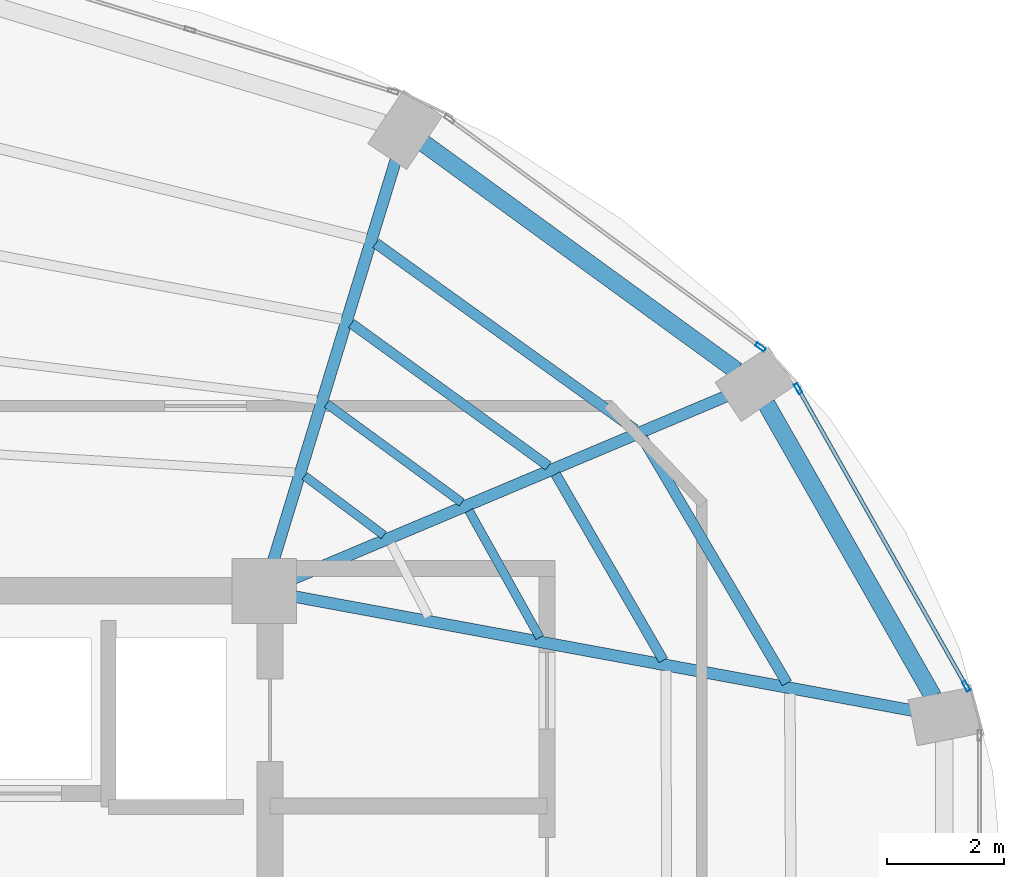
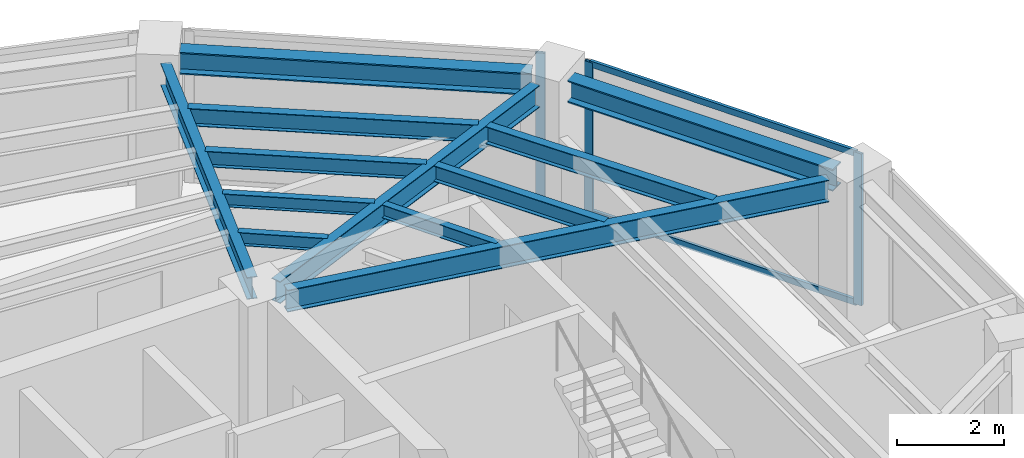
# One storey, part 15 of 22: 12 beams, 5 members, 2 elements without a shape of their own.
"""IFC4 building model written with IfcOpenShell, lengths in metres."""

from ifc_helpers import new_model, si_unit, direction, frame, origin, origin_2d, place, context, subcontext, project, spatial, hollow_rectangle, i_section, extrude, material, layer, layer_set, material_profile, profile_set, type_object, element, aggregate, save


model = new_model("IFC4")

# Units and contexts
model_context = context("Model", 3, precision=1e-05, world=origin(), true_north=direction((0.0, 1.0)))
body_context = subcontext(model_context, "Body", "Model", "MODEL_VIEW")
ifc_project = project(units=[si_unit("LENGTHUNIT", "METRE"), si_unit("AREAUNIT", "SQUARE_METRE"), si_unit("VOLUMEUNIT", "CUBIC_METRE"), si_unit("PLANEANGLEUNIT", "RADIAN"), si_unit("MASSUNIT", "GRAM", prefix="KILO")], contexts=[model_context])

# Site, building, storey
site_placement = place(None, origin())
site = spatial("IfcSite", under=ifc_project, at=site_placement, CompositionType="ELEMENT")
building_placement = place(site_placement, origin())
building = spatial("IfcBuilding", under=site, at=building_placement, Name="Lazwardi Medical Tower", CompositionType="ELEMENT")
storey_placement = place(building_placement, frame((0.0, 0.0, 251.3759765625)))
storey = spatial("IfcBuildingStorey", under=building, at=storey_placement, Name="L65", CompositionType="ELEMENT", Elevation=251.3759765625)

# Beams
ifc_material_1 = material(Name="Steel S355", Category="steel")
ifc_material_profile_1 = material_profile(ifc_material_1, i_section(OverallWidth=0.300048828125, OverallDepth=0.5, WebThickness=0.014404296875, FlangeThickness=0.028076171875, at=origin_2d()), Name="HEB 500")
ifc_profile_set_1 = profile_set([ifc_material_profile_1], Name="Steel S355")
beam_type_1 = type_object("IfcBeamType", Name="BM-RB-Z4", PredefinedType="BEAM", material=ifc_profile_set_1)
beam_1_placement = place(storey_placement, frame((56.991943359375, 33.8017578125, 3.197998046875), z_axis=(-0.495125273299, 0.868821594886, 0.0), x_axis=(-0.868821594886, -0.495125273299, 0.0)))
element("IfcBeam", 1, at=beam_1_placement, inside=storey, type_object=beam_type_1, Name="Ring beam RB-05 B05 L65", PredefinedType="BEAM", context=body_context, shape_type="SweptSolid", body=[
    extrude(i_section(OverallWidth=0.300048828125, OverallDepth=0.5, WebThickness=0.014404296875, FlangeThickness=0.028076171875, at=origin_2d()), origin(), (0.0, 0.0, 1.0), 5.734130859375),
])
beam_2_placement = place(storey_placement, frame((53.644287109375, 39.351806640625, 3.197998046875), z_axis=(-0.808889916254, 0.587960120571, 0.0), x_axis=(-0.587960120571, -0.808889916254, 0.0)))
element("IfcBeam", 2, at=beam_2_placement, inside=storey, type_object=beam_type_1, Name="Ring beam RB-05 B06 L65", PredefinedType="BEAM", context=body_context, shape_type="SweptSolid", body=[
    extrude(i_section(OverallWidth=0.300048828125, OverallDepth=0.5, WebThickness=0.014404296875, FlangeThickness=0.028076171875, at=origin_2d()), origin(), (0.0, 0.0, 1.0), 6.587158203125),
])
ifc_material_profile_2 = material_profile(ifc_material_1, i_section(OverallWidth=0.199951171875, OverallDepth=0.5, WebThickness=0.01025390625, FlangeThickness=0.01611328125, at=origin_2d()), Name="IPE 500")
ifc_profile_set_2 = profile_set([ifc_material_profile_2], Name="Steel S355")
beam_type_2 = type_object("IfcBeamType", Name="BM-RG-W3", PredefinedType="BEAM", material=ifc_profile_set_2)
beam_3_placement = place(storey_placement, frame((56.658935546875, 33.56005859375, 3.197998046875), z_axis=(-0.983409341459, 0.181400295288, 0.0), x_axis=(-0.181400295288, -0.983409341459, 0.0)))
element("IfcBeam", 3, at=beam_3_placement, inside=storey, type_object=beam_type_2, Name="Radial girder RG-04 R05 L65", PredefinedType="BEAM", context=body_context, shape_type="SweptSolid", body=[
    extrude(i_section(OverallWidth=0.199951171875, OverallDepth=0.5, WebThickness=0.01025390625, FlangeThickness=0.01611328125, at=origin_2d()), origin(), (0.0, 0.0, 1.0), 10.71044921875),
])
beam_4_placement = place(storey_placement, frame((53.466796875, 38.914794921875, 3.197998046875), z_axis=(-0.921526791352, -0.388314785735, 0.0), x_axis=(0.388314785735, -0.921526791352, 0.0)))
element("IfcBeam", 4, at=beam_4_placement, inside=storey, type_object=beam_type_2, Name="Radial girder RG-04 R06 L65", PredefinedType="BEAM", context=body_context, shape_type="SweptSolid", body=[
    extrude(i_section(OverallWidth=0.199951171875, OverallDepth=0.5, WebThickness=0.01025390625, FlangeThickness=0.01611328125, at=origin_2d()), origin(), (0.0, 0.0, 1.0), 8.001708984375),
])
beam_5_placement = place(storey_placement, frame((47.843994140625, 42.9423828125, 3.197998046875), z_axis=(-0.292276716539, -0.956333791607, 0.0), x_axis=(0.956333791607, -0.292276716539, 0.0)))
element("IfcBeam", 5, at=beam_5_placement, inside=storey, type_object=beam_type_2, Name="Radial girder RG-04 R07 L65", PredefinedType="BEAM", context=body_context, shape_type="SweptSolid", body=[
    extrude(i_section(OverallWidth=0.199951171875, OverallDepth=0.5, WebThickness=0.01025390625, FlangeThickness=0.01611328125, at=origin_2d()), origin(), (0.0, 0.0, 1.0), 7.142822265625),
])
ifc_material_profile_3 = material_profile(ifc_material_1, i_section(OverallWidth=0.179931640625, OverallDepth=0.39990234375, WebThickness=0.008544921875, FlangeThickness=0.013427734375, at=origin_2d()), Name="IPE 400")
ifc_profile_set_3 = profile_set([ifc_material_profile_3], Name="Steel S355")
beam_type_3 = type_object("IfcBeamType", Name="BM-SJ-01", PredefinedType="JOIST", material=ifc_profile_set_3)
beam_6_placement = place(storey_placement, frame((54.504150390625, 34.030517578125, 3.248046875), z_axis=(-0.507710311367, 0.861527851977, 0.0), x_axis=(-0.861527851977, -0.507710311367, 0.0)))
element("IfcBeam", 6, at=beam_6_placement, inside=storey, type_object=beam_type_3, Name="Secondary joist SJ-01 R1 B05 L65", PredefinedType="JOIST", context=body_context, shape_type="SweptSolid", body=[
    extrude(i_section(OverallWidth=0.179931640625, OverallDepth=0.39990234375, WebThickness=0.008544921875, FlangeThickness=0.013427734375, at=origin_2d()), origin(), (0.0, 0.0, 1.0), 4.852783203125),
])
beam_7_placement = place(storey_placement, frame((51.914794921875, 38.348876953125, 3.248046875), z_axis=(-0.811889581337, 0.58381102055, 0.0), x_axis=(-0.58381102055, -0.811889581337, 0.0)))
element("IfcBeam", 7, at=beam_7_placement, inside=storey, type_object=beam_type_3, Name="Secondary joist SJ-01 R1 B06 L65", PredefinedType="JOIST", context=body_context, shape_type="SweptSolid", body=[
    extrude(i_section(OverallWidth=0.179931640625, OverallDepth=0.39990234375, WebThickness=0.008544921875, FlangeThickness=0.013427734375, at=origin_2d()), origin(), (0.0, 0.0, 1.0), 5.433349609375),
])
ifc_material_profile_4 = material_profile(ifc_material_1, i_section(OverallWidth=0.169921875, OverallDepth=0.360107421875, WebThickness=0.008056640625, FlangeThickness=0.0126953125, at=origin_2d()), Name="IPE 360")
ifc_profile_set_4 = profile_set([ifc_material_profile_4], Name="Steel S355")
beam_type_4 = type_object("IfcBeamType", Name="BM-SJ-02", PredefinedType="JOIST", material=ifc_profile_set_4)
beam_8_placement = place(storey_placement, frame((52.398193359375, 34.41943359375, 3.26806640625), z_axis=(-0.500655179543, 0.865646805109, 0.0), x_axis=(-0.865646805109, -0.500655179543, 0.0)))
element("IfcBeam", 8, at=beam_8_placement, inside=storey, type_object=beam_type_4, Name="Secondary joist SJ-02 R2 B05 L65", PredefinedType="JOIST", context=body_context, shape_type="SweptSolid", body=[
    extrude(i_section(OverallWidth=0.169921875, OverallDepth=0.360107421875, WebThickness=0.008056640625, FlangeThickness=0.0126953125, at=origin_2d()), origin(), (0.0, 0.0, 1.0), 3.662109375),
])
beam_9_placement = place(storey_placement, frame((50.440185546875, 37.7275390625, 3.26806640625), z_axis=(-0.810164229155, 0.586202969796, 0.0), x_axis=(-0.586202969796, -0.810164229155, 0.0)))
element("IfcBeam", 9, at=beam_9_placement, inside=storey, type_object=beam_type_4, Name="Secondary joist SJ-02 R2 B06 L65", PredefinedType="JOIST", context=body_context, shape_type="SweptSolid", body=[
    extrude(i_section(OverallWidth=0.169921875, OverallDepth=0.360107421875, WebThickness=0.008056640625, FlangeThickness=0.0126953125, at=origin_2d()), origin(), (0.0, 0.0, 1.0), 4.14013671875),
])
ifc_material_profile_5 = material_profile(ifc_material_1, i_section(OverallWidth=0.14990234375, OverallDepth=0.300048828125, WebThickness=0.007080078125, FlangeThickness=0.0107421875, at=origin_2d()), Name="IPE 300")
ifc_profile_set_5 = profile_set([ifc_material_profile_5], Name="Steel S355")
beam_type_5 = type_object("IfcBeamType", Name="BM-SJ-03", PredefinedType="JOIST", material=ifc_profile_set_5)
beam_10_placement = place(storey_placement, frame((50.29296875, 34.80859375, 3.298095703125), z_axis=(-0.487092942089, 0.873350139272, 0.0), x_axis=(-0.873350139272, -0.487092942089, 0.0)))
element("IfcBeam", 10, at=beam_10_placement, inside=storey, type_object=beam_type_5, Name="Secondary joist SJ-03 R3 B05 L65", PredefinedType="JOIST", context=body_context, shape_type="SweptSolid", body=[
    extrude(i_section(OverallWidth=0.14990234375, OverallDepth=0.300048828125, WebThickness=0.007080078125, FlangeThickness=0.0107421875, at=origin_2d()), origin(), (0.0, 0.0, 1.0), 2.471923828125),
])
beam_11_placement = place(storey_placement, frame((48.9658203125, 37.106689453125, 3.298095703125), z_axis=(-0.80703431267, 0.59050454543, 0.0), x_axis=(-0.59050454543, -0.80703431267, 0.0)))
element("IfcBeam", 11, at=beam_11_placement, inside=storey, type_object=beam_type_5, Name="Secondary joist SJ-03 R3 B06 L65", PredefinedType="JOIST", context=body_context, shape_type="SweptSolid", body=[
    extrude(i_section(OverallWidth=0.14990234375, OverallDepth=0.300048828125, WebThickness=0.007080078125, FlangeThickness=0.0107421875, at=origin_2d()), origin(), (0.0, 0.0, 1.0), 2.846923828125),
])
beam_12_placement = place(storey_placement, frame((47.63916015625, 36.548095703125, 3.298095703125), z_axis=(-0.800365301971, 0.599512621553, 0.0), x_axis=(-0.599512621553, -0.800365301971, 0.0)))
element("IfcBeam", 12, at=beam_12_placement, inside=storey, type_object=beam_type_5, Name="Secondary joist SJ-03 R4 B06 L65", PredefinedType="JOIST", context=body_context, shape_type="SweptSolid", body=[
    extrude(i_section(OverallWidth=0.14990234375, OverallDepth=0.300048828125, WebThickness=0.007080078125, FlangeThickness=0.0107421875, at=origin_2d()), origin(), (0.0, 0.0, 1.0), 1.68359375),
])

# Curtain wall, members
ifc_material_2 = material(Name="Anodised bronze aluminium and solar control glazing", Category="aluminium")
ifc_layer = layer(ifc_material_2, 0.18994140625)
ifc_layer_set = layer_set([ifc_layer], Name="Anodised bronze aluminium and solar control glazing")
curtain_wall_type = type_object("IfcCurtainWallType", Name="CW-SYS-04", PredefinedType="NOTDEFINED", material=ifc_layer_set)
curtain_wall_1_placement = place(storey_placement, origin())
curtain_wall_1 = element("IfcCurtainWall", 13, at=curtain_wall_1_placement, inside=storey, type_object=curtain_wall_type, Name="L65 Unitised bronze curtain wall CW-04", PredefinedType="NOTDEFINED")
ifc_material_3 = material(Name="Anodised bronze aluminium", Category="aluminium")
ifc_material_profile_6 = material_profile(ifc_material_3, hollow_rectangle(XDim=0.06494140625, YDim=0.179931640625, WallThickness=0.00390625, at=origin_2d()), Name="ALU-MULLION 180x65x4")
ifc_profile_set_6 = profile_set([ifc_material_profile_6], Name="Anodised bronze aluminium")
member_type_1 = type_object("IfcMemberType", Name="CW-MUL-03", PredefinedType="MULLION", material=ifc_profile_set_6)
member_1_placement = place(storey_placement, frame((57.557373046875, 33.978271484375, 0.0), z_axis=(0.0, 0.0, 1.0), x_axis=(-0.870651436011, -0.491900474661, 0.0)))
member_1 = element("IfcMember", 14, at=member_1_placement, type_object=member_type_1, Name="CW-04 mullion 1", PredefinedType="MULLION", context=body_context, shape_type="SweptSolid", body=[
    extrude(hollow_rectangle(XDim=0.06494140625, YDim=0.179931640625, WallThickness=0.00390625, at=origin_2d()), origin(), (0.0, 0.0, 1.0), 3.447998046875),
])
member_2_placement = place(storey_placement, frame((54.6943359375, 39.04541015625, 0.0), z_axis=(0.0, 0.0, 1.0), x_axis=(-0.870651436011, -0.491900474661, 0.0)))
member_2 = element("IfcMember", 15, at=member_2_placement, type_object=member_type_1, Name="CW-04 mullion 2", PredefinedType="MULLION", context=body_context, shape_type="SweptSolid", body=[
    extrude(hollow_rectangle(XDim=0.06494140625, YDim=0.179931640625, WallThickness=0.00390625, at=origin_2d()), origin(), (0.0, 0.0, 1.0), 3.447998046875),
])

# Curtain wall, member
curtain_wall_2_placement = place(storey_placement, origin())
curtain_wall_2 = element("IfcCurtainWall", 16, at=curtain_wall_2_placement, inside=storey, type_object=curtain_wall_type, Name="L65 Unitised bronze curtain wall CW-04", PredefinedType="NOTDEFINED")
member_3_placement = place(storey_placement, frame((54.052001953125, 39.751708984375, 0.0), z_axis=(0.0, 0.0, 1.0), x_axis=(-0.591268230971, -0.806474971121, 0.0)))
member_3 = element("IfcMember", 17, at=member_3_placement, type_object=member_type_1, Name="CW-04 mullion 1", PredefinedType="MULLION", context=body_context, shape_type="SweptSolid", body=[
    extrude(hollow_rectangle(XDim=0.06494140625, YDim=0.179931640625, WallThickness=0.00390625, at=origin_2d()), origin(), (0.0, 0.0, 1.0), 3.447998046875),
])
aggregate(curtain_wall_2, [member_3])

# Member
ifc_material_profile_7 = material_profile(ifc_material_3, hollow_rectangle(XDim=0.06494140625, YDim=0.139892578125, WallThickness=0.00341796875, at=origin_2d()), Name="ALU-TRANSOM 140x65x3.5")
ifc_profile_set_7 = profile_set([ifc_material_profile_7], Name="Anodised bronze aluminium")
member_type_2 = type_object("IfcMemberType", Name="CW-TRN-03", PredefinedType="USERDEFINED", material=ifc_profile_set_7)
member_4_placement = place(storey_placement, frame((57.541259765625, 34.006591796875, 0.032470703125), z_axis=(-0.491897887635, 0.870652897623, 0.0), x_axis=(-0.870652897623, -0.491897887635, 0.0)))
member_4 = element("IfcMember", 18, at=member_4_placement, type_object=member_type_2, Name="CW-04 transom 1.1", ObjectType="TRANSOM", PredefinedType="USERDEFINED", context=body_context, shape_type="SweptSolid", body=[
    extrude(hollow_rectangle(XDim=0.06494140625, YDim=0.139892578125, WallThickness=0.00341796875, at=origin_2d()), origin(), (0.0, 0.0, 1.0), 5.7548828125),
])

member_5_placement = place(storey_placement, frame((57.541259765625, 34.006591796875, 3.41552734375), z_axis=(-0.491897887635, 0.870652897623, 0.0), x_axis=(-0.870652897623, -0.491897887635, 0.0)))
member_5 = element("IfcMember", 19, at=member_5_placement, type_object=member_type_2, Name="CW-04 transom 1.2", ObjectType="TRANSOM", PredefinedType="USERDEFINED", context=body_context, shape_type="SweptSolid", body=[
    extrude(hollow_rectangle(XDim=0.06494140625, YDim=0.139892578125, WallThickness=0.00341796875, at=origin_2d()), origin(), (0.0, 0.0, 1.0), 5.7548828125),
])

aggregate(curtain_wall_1, [member_1, member_2, member_4, member_5])

save(model, "model.ifc")
